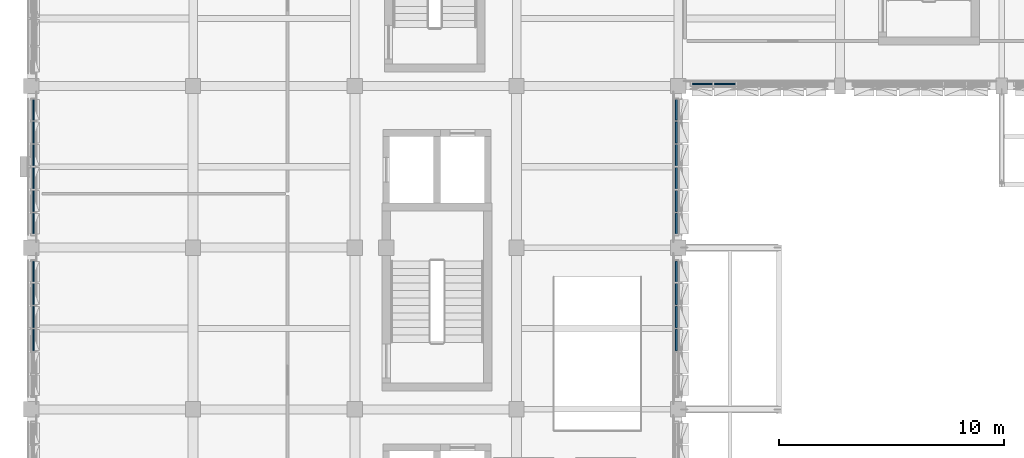
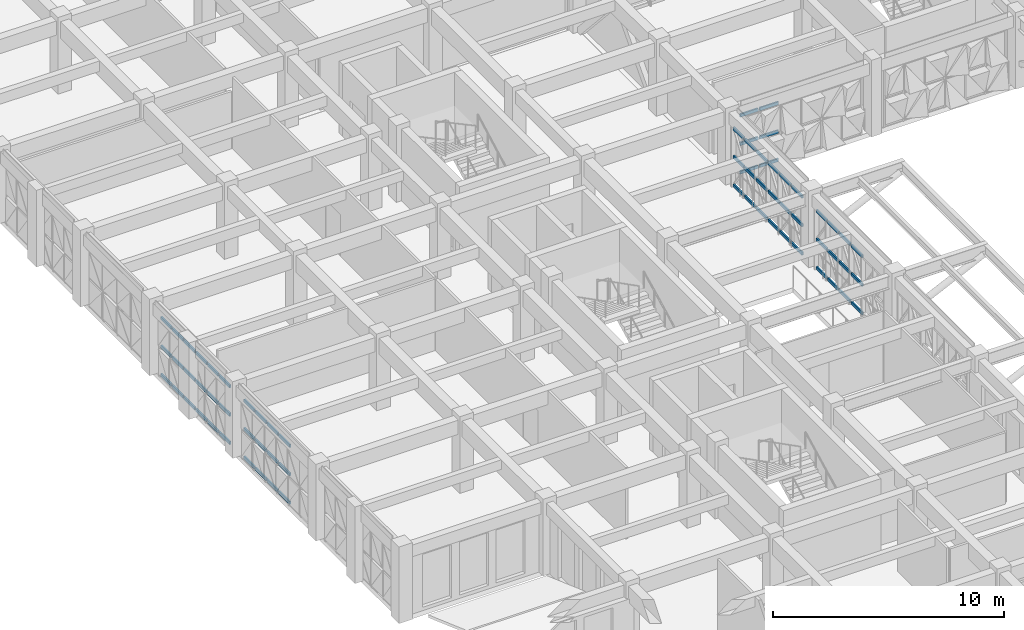
# One storey, part 23 of 88: 66 members, 5 elements without a shape of their own.
"""IFC4 building model written with IfcOpenShell, lengths in metres."""

import ifcopenshell
import ifcopenshell.guid

model = None  # the IFC model being written
_history = None  # IfcOwnerHistory: only IFC2X3 demands one
_inside = {}  # id of a spatial element -> (the spatial element, [elements in it])
_under = {}  # id of a project, library or spatial element -> (it, [spatial elements below it])
_declared = {}  # id of a project -> (the project, [libraries it declares])
_typed = {}  # id of a type object -> (the type object, [elements of that type])
_made_of = {}  # id of a material, layer set ... -> (it, [elements and type objects made of it])


def new_model(schema):
    """Start an empty IFC model of exactly this schema.

    Asked for "IFC4X3", IfcOpenShell would pick the latest addendum, in which some entities
    have other attributes; the version numbers below select the first issue.
    IFC2X3 requires an IfcOwnerHistory on every rooted entity: one is made here for all.
    """
    global model, _history
    if schema == "IFC4X3":
        model = ifcopenshell.file(schema_version=(4, 3, 0, 0))
    else:
        model = ifcopenshell.file(schema=schema)
    _inside.clear()
    _under.clear()
    _declared.clear()
    _typed.clear()
    _made_of.clear()
    _history = None
    if model.schema == "IFC2X3":
        org = make("IfcOrganization", Name="unknown")
        user = make(
            "IfcPersonAndOrganization",
            ThePerson=make("IfcPerson", FamilyName="unknown"),
            TheOrganization=org,
        )
        app = make(
            "IfcApplication",
            ApplicationDeveloper=org,
            Version="unknown",
            ApplicationFullName="unknown",
            ApplicationIdentifier="unknown",
        )
        _history = make(
            "IfcOwnerHistory",
            OwningUser=user,
            OwningApplication=app,
            ChangeAction="ADDED",
            CreationDate=0,
        )
    return model


def make(cls, **values):
    """One entity of the class cls with the attributes given. An attribute that is None is left unset."""
    return model.create_entity(
        cls, **{name: value for name, value in values.items() if value is not None}
    )


def rooted(cls, **values):
    """An entity with a GlobalId (a new one), such as an element, a storey or a relation."""
    return make(cls, GlobalId=ifcopenshell.guid.new(), OwnerHistory=_history, **values)


def si_unit(unit_type, name, prefix=None):
    """IfcSIUnit, for example si_unit("LENGTHUNIT", "METRE", prefix="MILLI")."""
    return make("IfcSIUnit", UnitType=unit_type, Prefix=prefix, Name=name)


def assignment(units):
    """IfcUnitAssignment: the units of a project."""
    return None if units is None else make("IfcUnitAssignment", Units=units)


def point(xyz):
    """IfcCartesianPoint."""
    return None if xyz is None else make("IfcCartesianPoint", Coordinates=xyz)


def direction(xyz):
    """IfcDirection."""
    return None if xyz is None else make("IfcDirection", DirectionRatios=xyz)


def frame(location, z_axis=None, x_axis=None):
    """IfcAxis2Placement3D, a coordinate frame: its origin and axes. An axis left out is left unset."""
    return make(
        "IfcAxis2Placement3D",
        Location=point(location),
        Axis=direction(z_axis),
        RefDirection=direction(x_axis),
    )


def frame_2d(location, x_axis=None):
    """IfcAxis2Placement2D, a coordinate frame in the plane: its origin and x axis."""
    return make(
        "IfcAxis2Placement2D", Location=point(location), RefDirection=direction(x_axis)
    )


def origin():
    """The frame at (0, 0, 0) with its axes left unset."""
    return frame((0.0, 0.0, 0.0))


def origin_2d():
    """The frame at (0, 0) in the plane with its x axis left unset."""
    return frame_2d((0.0, 0.0))


def place(relative_to, where):
    """IfcLocalPlacement: puts the frame where relative to a parent placement (None: the world)."""
    return make(
        "IfcLocalPlacement", PlacementRelTo=relative_to, RelativePlacement=where
    )


def context(
    kind, dimensions, precision=None, world=None, true_north=None, identifier=None
):
    """IfcGeometricRepresentationContext, for example the 3D "Model" context."""
    return make(
        "IfcGeometricRepresentationContext",
        ContextIdentifier=identifier,
        ContextType=kind,
        CoordinateSpaceDimension=dimensions,
        Precision=precision,
        WorldCoordinateSystem=world,
        TrueNorth=true_north,
    )


def subcontext(parent, identifier, kind, view, scale=None):
    """IfcGeometricRepresentationSubContext, for example "Body" below "Model"."""
    return make(
        "IfcGeometricRepresentationSubContext",
        ContextIdentifier=identifier,
        ContextType=kind,
        ParentContext=parent,
        TargetScale=scale,
        TargetView=view,
    )


def project(units=None, contexts=None):
    """IfcProject with its units and contexts."""
    return rooted(
        "IfcProject",
        Name="project",
        RepresentationContexts=contexts,
        UnitsInContext=assignment(units),
    )


def spatial(cls, under=None, at=None, **own):
    """A site, building, storey or space (cls), placed at a placement, below another one or the project."""
    s = rooted(cls, ObjectPlacement=at, **own)
    if under is not None:
        _under.setdefault(under.id(), (under, []))[1].append(s)
    return s


def profile(cls, at=None, kind="AREA", **sizes):
    """A parametric profile (cls). Its sizes go by their IFC names, for example OverallWidth=200.0."""
    return make(cls, ProfileType=kind, Position=at, **sizes)


def rectangle(**sizes):
    """IfcRectangleProfileDef."""
    return profile("IfcRectangleProfileDef", **sizes)


def extrude(swept, where, along, depth):
    """IfcExtrudedAreaSolid: the profile swept, set in the frame where, extruded along a direction by depth."""
    return make(
        "IfcExtrudedAreaSolid",
        SweptArea=swept,
        Position=where,
        ExtrudedDirection=direction(along),
        Depth=depth,
    )


def shape(context_of_items, identifier, shape_type, items):
    """IfcShapeRepresentation: the items that make up one representation, for example the "Body"."""
    return make(
        "IfcShapeRepresentation",
        ContextOfItems=context_of_items,
        RepresentationIdentifier=identifier,
        RepresentationType=shape_type,
        Items=items,
    )


def material(Name=None, Category=None):
    """IfcMaterial."""
    return make("IfcMaterial", Name=Name, Category=Category)


def material_profile(
    of_material, cross_section, Name=None, Category=None, Priority=None
):
    """IfcMaterialProfile: a cross section and its material."""
    return make(
        "IfcMaterialProfile",
        Name=Name,
        Material=of_material,
        Profile=cross_section,
        Priority=Priority,
        Category=Category,
    )


def profile_set(profiles, Name=None, composite=None):
    """IfcMaterialProfileSet."""
    return make(
        "IfcMaterialProfileSet",
        Name=Name,
        MaterialProfiles=profiles,
        CompositeProfile=composite,
    )


def made_of(thing, what):
    """Note that an element or type object is made of a material, layer set ...; save() writes the relation."""
    if what is not None:
        _made_of.setdefault(what.id(), (what, []))[1].append(thing)
    return thing


def type_object(cls, material=None, **own):
    """A type object (cls), such as IfcWallType, which elements share."""
    return made_of(rooted(cls, **own), material)


def element(
    cls,
    number,
    at=None,
    inside=None,
    cuts=None,
    type_object=None,
    material=None,
    context=None,
    identifier="Body",
    shape_type=None,
    held_by="IfcProductDefinitionShape",
    body=None,
    shapes=None,
    **own,
):
    """One element of the class cls, such as IfcWall. Its Tag is "e" and its number.

    at: its placement. inside: the storey or other place that contains it. cuts: it is an
    opening in that element (IfcRelVoidsElement). A single representation is given by context,
    identifier, shape_type and body (its items); several are given by shapes. held_by: the class
    of the entity that holds the representations. save() writes the other relations.
    """
    e = rooted(cls, Tag="e%d" % number, ObjectPlacement=at, **own)
    if body is not None:
        shapes = [shape(context, identifier, shape_type, body)]
    if shapes is not None:
        e.Representation = make(held_by, Representations=shapes)
    if inside is not None:
        _inside.setdefault(inside.id(), (inside, []))[1].append(e)
    if cuts is not None:
        rooted(
            "IfcRelVoidsElement", RelatingBuildingElement=cuts, RelatedOpeningElement=e
        )
    if type_object is not None:
        _typed.setdefault(type_object.id(), (type_object, []))[1].append(e)
    return made_of(e, material)


def aggregate(whole, parts):
    """IfcRelAggregates: a whole, such as a stair, and the parts it consists of."""
    return rooted("IfcRelAggregates", RelatingObject=whole, RelatedObjects=parts)


def save(model, path):
    """Write the relations noted so far, then the file.

    IfcRelAggregates (storeys below a building ...), IfcRelContainedInSpatialStructure (elements
    in a storey), IfcRelDefinesByType, IfcRelAssociatesMaterial and IfcRelDeclares: one each for
    every whole, place, type object, material and project.
    """
    for whole, parts in _under.values():
        aggregate(whole, parts)
    for where, things in _inside.values():
        rooted(
            "IfcRelContainedInSpatialStructure",
            RelatedElements=things,
            RelatingStructure=where,
        )
    for kind, things in _typed.values():
        rooted("IfcRelDefinesByType", RelatedObjects=things, RelatingType=kind)
    for what, things in _made_of.values():
        rooted("IfcRelAssociatesMaterial", RelatedObjects=things, RelatingMaterial=what)
    for by, libraries in _declared.values():
        rooted("IfcRelDeclares", RelatingContext=by, RelatedDefinitions=libraries)
    model.write(path)


model = new_model("IFC4")

# Units and contexts
model_context = context("Model", 3, precision=1e-05, world=origin(), true_north=direction((0.0, 1.0)))
body_context = subcontext(model_context, "Body", "Model", "MODEL_VIEW")
ifc_project = project(units=[si_unit("LENGTHUNIT", "METRE"), si_unit("AREAUNIT", "SQUARE_METRE"), si_unit("VOLUMEUNIT", "CUBIC_METRE"), si_unit("PLANEANGLEUNIT", "RADIAN"), si_unit("MASSUNIT", "GRAM", prefix="KILO")], contexts=[model_context])

# Site, building, storey
site_placement = place(None, origin())
site = spatial("IfcSite", under=ifc_project, at=site_placement, CompositionType="ELEMENT")
building_placement = place(site_placement, origin())
building = spatial("IfcBuilding", under=site, at=building_placement, Name="Alvorim Cloister Faculty of Sciences", CompositionType="ELEMENT")
storey_placement = place(building_placement, frame((0.0, 0.0, 4.5)))
storey = spatial("IfcBuildingStorey", under=building, at=storey_placement, Name="L01", CompositionType="ELEMENT", Elevation=4.5)

# Curtain wall, members
ifc_material_1 = material(Name="Aluminium and Low-E Glass Curtain Wall", Category="aluminium")
curtain_wall_type = type_object("IfcCurtainWallType", Name="CW-TRI-6120x3170", PredefinedType="USERDEFINED", material=ifc_material_1)
curtain_wall_1_placement = place(storey_placement, origin())
curtain_wall_1 = element("IfcCurtainWall", 1, at=curtain_wall_1_placement, inside=storey, type_object=curtain_wall_type, Name="L01 Diagonal Cassette Curtain Wall CW-0008", ObjectType="UNITISED CURTAIN WALL", PredefinedType="USERDEFINED")
ifc_material_2 = material(Name="Aluminium Alloy 6063-T6", Category="aluminium")
ifc_material_profile = material_profile(ifc_material_2, rectangle(XDim=0.074951171875, YDim=0.159912109375, at=origin_2d()), Name="ALU-TRN-75x160")
ifc_profile_set = profile_set([ifc_material_profile], Name="Aluminium Alloy 6063-T6")
member_type = type_object("IfcMemberType", Name="CW-TRN-75x160", PredefinedType="USERDEFINED", material=ifc_profile_set)
member_1_placement = place(storey_placement, frame((0.090087890625, 31.41748046875, 0.080078125), z_axis=(0.0, 1.0, 0.0), x_axis=(-1.0, 0.0, 0.0)))
member_1 = element("IfcMember", 2, at=member_1_placement, type_object=member_type, Name="CW-0008 Transom 3.1", ObjectType="TRANSOM", PredefinedType="USERDEFINED", context=body_context, shape_type="SweptSolid", body=[
    extrude(rectangle(XDim=0.074951171875, YDim=0.159912109375, at=origin_2d()), origin(), (0.0, 0.0, 1.0), 0.945068359375),
])
member_2_placement = place(storey_placement, frame((0.090087890625, 31.41748046875, 1.5849609375), z_axis=(0.0, 1.0, 0.0), x_axis=(-1.0, 0.0, 0.0)))
member_2 = element("IfcMember", 3, at=member_2_placement, type_object=member_type, Name="CW-0008 Transom 3.2", ObjectType="TRANSOM", PredefinedType="USERDEFINED", context=body_context, shape_type="SweptSolid", body=[
    extrude(rectangle(XDim=0.074951171875, YDim=0.159912109375, at=origin_2d()), origin(), (0.0, 0.0, 1.0), 0.945068359375),
])
member_3_placement = place(storey_placement, frame((0.090087890625, 31.41748046875, 3.090087890625), z_axis=(0.0, 1.0, 0.0), x_axis=(-1.0, 0.0, 0.0)))
member_3 = element("IfcMember", 4, at=member_3_placement, type_object=member_type, Name="CW-0008 Transom 3.3", ObjectType="TRANSOM", PredefinedType="USERDEFINED", context=body_context, shape_type="SweptSolid", body=[
    extrude(rectangle(XDim=0.074951171875, YDim=0.159912109375, at=origin_2d()), origin(), (0.0, 0.0, 1.0), 0.945068359375),
])
member_4_placement = place(storey_placement, frame((0.090087890625, 32.4375, 0.080078125), z_axis=(0.0, 1.0, 0.0), x_axis=(-1.0, 0.0, 0.0)))
member_4 = element("IfcMember", 5, at=member_4_placement, type_object=member_type, Name="CW-0008 Transom 4.1", ObjectType="TRANSOM", PredefinedType="USERDEFINED", context=body_context, shape_type="SweptSolid", body=[
    extrude(rectangle(XDim=0.074951171875, YDim=0.159912109375, at=origin_2d()), origin(), (0.0, 0.0, 1.0), 0.945068359375),
])
member_5_placement = place(storey_placement, frame((0.090087890625, 32.4375, 1.5849609375), z_axis=(0.0, 1.0, 0.0), x_axis=(-1.0, 0.0, 0.0)))
member_5 = element("IfcMember", 6, at=member_5_placement, type_object=member_type, Name="CW-0008 Transom 4.2", ObjectType="TRANSOM", PredefinedType="USERDEFINED", context=body_context, shape_type="SweptSolid", body=[
    extrude(rectangle(XDim=0.074951171875, YDim=0.159912109375, at=origin_2d()), origin(), (0.0, 0.0, 1.0), 0.945068359375),
])
member_6_placement = place(storey_placement, frame((0.090087890625, 32.4375, 3.090087890625), z_axis=(0.0, 1.0, 0.0), x_axis=(-1.0, 0.0, 0.0)))
member_6 = element("IfcMember", 7, at=member_6_placement, type_object=member_type, Name="CW-0008 Transom 4.3", ObjectType="TRANSOM", PredefinedType="USERDEFINED", context=body_context, shape_type="SweptSolid", body=[
    extrude(rectangle(XDim=0.074951171875, YDim=0.159912109375, at=origin_2d()), origin(), (0.0, 0.0, 1.0), 0.945068359375),
])
member_7_placement = place(storey_placement, frame((0.090087890625, 33.45751953125, 0.080078125), z_axis=(0.0, 1.0, 0.0), x_axis=(-1.0, 0.0, 0.0)))
member_7 = element("IfcMember", 8, at=member_7_placement, type_object=member_type, Name="CW-0008 Transom 5.1", ObjectType="TRANSOM", PredefinedType="USERDEFINED", context=body_context, shape_type="SweptSolid", body=[
    extrude(rectangle(XDim=0.074951171875, YDim=0.159912109375, at=origin_2d()), origin(), (0.0, 0.0, 1.0), 0.945068359375),
])
member_8_placement = place(storey_placement, frame((0.090087890625, 33.45751953125, 1.5849609375), z_axis=(0.0, 1.0, 0.0), x_axis=(-1.0, 0.0, 0.0)))
member_8 = element("IfcMember", 9, at=member_8_placement, type_object=member_type, Name="CW-0008 Transom 5.2", ObjectType="TRANSOM", PredefinedType="USERDEFINED", context=body_context, shape_type="SweptSolid", body=[
    extrude(rectangle(XDim=0.074951171875, YDim=0.159912109375, at=origin_2d()), origin(), (0.0, 0.0, 1.0), 0.945068359375),
])
member_9_placement = place(storey_placement, frame((0.090087890625, 33.45751953125, 3.090087890625), z_axis=(0.0, 1.0, 0.0), x_axis=(-1.0, 0.0, 0.0)))
member_9 = element("IfcMember", 10, at=member_9_placement, type_object=member_type, Name="CW-0008 Transom 5.3", ObjectType="TRANSOM", PredefinedType="USERDEFINED", context=body_context, shape_type="SweptSolid", body=[
    extrude(rectangle(XDim=0.074951171875, YDim=0.159912109375, at=origin_2d()), origin(), (0.0, 0.0, 1.0), 0.945068359375),
])
member_10_placement = place(storey_placement, frame((0.090087890625, 34.4775390625, 0.080078125), z_axis=(0.0, 1.0, 0.0), x_axis=(-1.0, 0.0, 0.0)))
member_10 = element("IfcMember", 11, at=member_10_placement, type_object=member_type, Name="CW-0008 Transom 6.1", ObjectType="TRANSOM", PredefinedType="USERDEFINED", context=body_context, shape_type="SweptSolid", body=[
    extrude(rectangle(XDim=0.074951171875, YDim=0.159912109375, at=origin_2d()), origin(), (0.0, 0.0, 1.0), 0.907470703125),
])
member_11_placement = place(storey_placement, frame((0.090087890625, 34.4775390625, 1.5849609375), z_axis=(0.0, 1.0, 0.0), x_axis=(-1.0, 0.0, 0.0)))
member_11 = element("IfcMember", 12, at=member_11_placement, type_object=member_type, Name="CW-0008 Transom 6.2", ObjectType="TRANSOM", PredefinedType="USERDEFINED", context=body_context, shape_type="SweptSolid", body=[
    extrude(rectangle(XDim=0.074951171875, YDim=0.159912109375, at=origin_2d()), origin(), (0.0, 0.0, 1.0), 0.907470703125),
])
member_12_placement = place(storey_placement, frame((0.090087890625, 34.4775390625, 3.090087890625), z_axis=(0.0, 1.0, 0.0), x_axis=(-1.0, 0.0, 0.0)))
member_12 = element("IfcMember", 13, at=member_12_placement, type_object=member_type, Name="CW-0008 Transom 6.3", ObjectType="TRANSOM", PredefinedType="USERDEFINED", context=body_context, shape_type="SweptSolid", body=[
    extrude(rectangle(XDim=0.074951171875, YDim=0.159912109375, at=origin_2d()), origin(), (0.0, 0.0, 1.0), 0.907470703125),
])
aggregate(curtain_wall_1, [member_1, member_2, member_3, member_4, member_5, member_6, member_7, member_8, member_9, member_10, member_11, member_12])

curtain_wall_2_placement = place(storey_placement, origin())
curtain_wall_2 = element("IfcCurtainWall", 14, at=curtain_wall_2_placement, inside=storey, type_object=curtain_wall_type, Name="L01 Diagonal Cassette Curtain Wall CW-0009", ObjectType="UNITISED CURTAIN WALL", PredefinedType="USERDEFINED")
member_13_placement = place(storey_placement, frame((0.090087890625, 36.614990234375, 0.080078125), z_axis=(0.0, 1.0, 0.0), x_axis=(-1.0, 0.0, 0.0)))
member_13 = element("IfcMember", 15, at=member_13_placement, type_object=member_type, Name="CW-0009 Transom 1.1", ObjectType="TRANSOM", PredefinedType="USERDEFINED", context=body_context, shape_type="SweptSolid", body=[
    extrude(rectangle(XDim=0.074951171875, YDim=0.159912109375, at=origin_2d()), origin(), (0.0, 0.0, 1.0), 0.907470703125),
])
member_14_placement = place(storey_placement, frame((0.090087890625, 36.614990234375, 1.5849609375), z_axis=(0.0, 1.0, 0.0), x_axis=(-1.0, 0.0, 0.0)))
member_14 = element("IfcMember", 16, at=member_14_placement, type_object=member_type, Name="CW-0009 Transom 1.2", ObjectType="TRANSOM", PredefinedType="USERDEFINED", context=body_context, shape_type="SweptSolid", body=[
    extrude(rectangle(XDim=0.074951171875, YDim=0.159912109375, at=origin_2d()), origin(), (0.0, 0.0, 1.0), 0.907470703125),
])
member_15_placement = place(storey_placement, frame((0.090087890625, 36.614990234375, 3.090087890625), z_axis=(0.0, 1.0, 0.0), x_axis=(-1.0, 0.0, 0.0)))
member_15 = element("IfcMember", 17, at=member_15_placement, type_object=member_type, Name="CW-0009 Transom 1.3", ObjectType="TRANSOM", PredefinedType="USERDEFINED", context=body_context, shape_type="SweptSolid", body=[
    extrude(rectangle(XDim=0.074951171875, YDim=0.159912109375, at=origin_2d()), origin(), (0.0, 0.0, 1.0), 0.907470703125),
])
member_16_placement = place(storey_placement, frame((0.090087890625, 37.597412109375, 0.080078125), z_axis=(0.0, 1.0, 0.0), x_axis=(-1.0, 0.0, 0.0)))
member_16 = element("IfcMember", 18, at=member_16_placement, type_object=member_type, Name="CW-0009 Transom 2.1", ObjectType="TRANSOM", PredefinedType="USERDEFINED", context=body_context, shape_type="SweptSolid", body=[
    extrude(rectangle(XDim=0.074951171875, YDim=0.159912109375, at=origin_2d()), origin(), (0.0, 0.0, 1.0), 0.945068359375),
])
member_17_placement = place(storey_placement, frame((0.090087890625, 37.597412109375, 1.5849609375), z_axis=(0.0, 1.0, 0.0), x_axis=(-1.0, 0.0, 0.0)))
member_17 = element("IfcMember", 19, at=member_17_placement, type_object=member_type, Name="CW-0009 Transom 2.2", ObjectType="TRANSOM", PredefinedType="USERDEFINED", context=body_context, shape_type="SweptSolid", body=[
    extrude(rectangle(XDim=0.074951171875, YDim=0.159912109375, at=origin_2d()), origin(), (0.0, 0.0, 1.0), 0.945068359375),
])
member_18_placement = place(storey_placement, frame((0.090087890625, 37.597412109375, 3.090087890625), z_axis=(0.0, 1.0, 0.0), x_axis=(-1.0, 0.0, 0.0)))
member_18 = element("IfcMember", 20, at=member_18_placement, type_object=member_type, Name="CW-0009 Transom 2.3", ObjectType="TRANSOM", PredefinedType="USERDEFINED", context=body_context, shape_type="SweptSolid", body=[
    extrude(rectangle(XDim=0.074951171875, YDim=0.159912109375, at=origin_2d()), origin(), (0.0, 0.0, 1.0), 0.945068359375),
])
member_19_placement = place(storey_placement, frame((0.090087890625, 38.617431640625, 0.080078125), z_axis=(0.0, 1.0, 0.0), x_axis=(-1.0, 0.0, 0.0)))
member_19 = element("IfcMember", 21, at=member_19_placement, type_object=member_type, Name="CW-0009 Transom 3.1", ObjectType="TRANSOM", PredefinedType="USERDEFINED", context=body_context, shape_type="SweptSolid", body=[
    extrude(rectangle(XDim=0.074951171875, YDim=0.159912109375, at=origin_2d()), origin(), (0.0, 0.0, 1.0), 0.945068359375),
])
member_20_placement = place(storey_placement, frame((0.090087890625, 38.617431640625, 1.5849609375), z_axis=(0.0, 1.0, 0.0), x_axis=(-1.0, 0.0, 0.0)))
member_20 = element("IfcMember", 22, at=member_20_placement, type_object=member_type, Name="CW-0009 Transom 3.2", ObjectType="TRANSOM", PredefinedType="USERDEFINED", context=body_context, shape_type="SweptSolid", body=[
    extrude(rectangle(XDim=0.074951171875, YDim=0.159912109375, at=origin_2d()), origin(), (0.0, 0.0, 1.0), 0.945068359375),
])
member_21_placement = place(storey_placement, frame((0.090087890625, 38.617431640625, 3.090087890625), z_axis=(0.0, 1.0, 0.0), x_axis=(-1.0, 0.0, 0.0)))
member_21 = element("IfcMember", 23, at=member_21_placement, type_object=member_type, Name="CW-0009 Transom 3.3", ObjectType="TRANSOM", PredefinedType="USERDEFINED", context=body_context, shape_type="SweptSolid", body=[
    extrude(rectangle(XDim=0.074951171875, YDim=0.159912109375, at=origin_2d()), origin(), (0.0, 0.0, 1.0), 0.945068359375),
])
member_22_placement = place(storey_placement, frame((0.090087890625, 39.637451171875, 0.080078125), z_axis=(0.0, 1.0, 0.0), x_axis=(-1.0, 0.0, 0.0)))
member_22 = element("IfcMember", 24, at=member_22_placement, type_object=member_type, Name="CW-0009 Transom 4.1", ObjectType="TRANSOM", PredefinedType="USERDEFINED", context=body_context, shape_type="SweptSolid", body=[
    extrude(rectangle(XDim=0.074951171875, YDim=0.159912109375, at=origin_2d()), origin(), (0.0, 0.0, 1.0), 0.945068359375),
])
member_23_placement = place(storey_placement, frame((0.090087890625, 39.637451171875, 1.5849609375), z_axis=(0.0, 1.0, 0.0), x_axis=(-1.0, 0.0, 0.0)))
member_23 = element("IfcMember", 25, at=member_23_placement, type_object=member_type, Name="CW-0009 Transom 4.2", ObjectType="TRANSOM", PredefinedType="USERDEFINED", context=body_context, shape_type="SweptSolid", body=[
    extrude(rectangle(XDim=0.074951171875, YDim=0.159912109375, at=origin_2d()), origin(), (0.0, 0.0, 1.0), 0.945068359375),
])
member_24_placement = place(storey_placement, frame((0.090087890625, 39.637451171875, 3.090087890625), z_axis=(0.0, 1.0, 0.0), x_axis=(-1.0, 0.0, 0.0)))
member_24 = element("IfcMember", 26, at=member_24_placement, type_object=member_type, Name="CW-0009 Transom 4.3", ObjectType="TRANSOM", PredefinedType="USERDEFINED", context=body_context, shape_type="SweptSolid", body=[
    extrude(rectangle(XDim=0.074951171875, YDim=0.159912109375, at=origin_2d()), origin(), (0.0, 0.0, 1.0), 0.945068359375),
])
member_25_placement = place(storey_placement, frame((0.090087890625, 40.657470703125, 0.080078125), z_axis=(0.0, 1.0, 0.0), x_axis=(-1.0, 0.0, 0.0)))
member_25 = element("IfcMember", 27, at=member_25_placement, type_object=member_type, Name="CW-0009 Transom 5.1", ObjectType="TRANSOM", PredefinedType="USERDEFINED", context=body_context, shape_type="SweptSolid", body=[
    extrude(rectangle(XDim=0.074951171875, YDim=0.159912109375, at=origin_2d()), origin(), (0.0, 0.0, 1.0), 0.945068359375),
])
member_26_placement = place(storey_placement, frame((0.090087890625, 40.657470703125, 1.5849609375), z_axis=(0.0, 1.0, 0.0), x_axis=(-1.0, 0.0, 0.0)))
member_26 = element("IfcMember", 28, at=member_26_placement, type_object=member_type, Name="CW-0009 Transom 5.2", ObjectType="TRANSOM", PredefinedType="USERDEFINED", context=body_context, shape_type="SweptSolid", body=[
    extrude(rectangle(XDim=0.074951171875, YDim=0.159912109375, at=origin_2d()), origin(), (0.0, 0.0, 1.0), 0.945068359375),
])
member_27_placement = place(storey_placement, frame((0.090087890625, 40.657470703125, 3.090087890625), z_axis=(0.0, 1.0, 0.0), x_axis=(-1.0, 0.0, 0.0)))
member_27 = element("IfcMember", 29, at=member_27_placement, type_object=member_type, Name="CW-0009 Transom 5.3", ObjectType="TRANSOM", PredefinedType="USERDEFINED", context=body_context, shape_type="SweptSolid", body=[
    extrude(rectangle(XDim=0.074951171875, YDim=0.159912109375, at=origin_2d()), origin(), (0.0, 0.0, 1.0), 0.945068359375),
])
member_28_placement = place(storey_placement, frame((0.090087890625, 41.677490234375, 0.080078125), z_axis=(0.0, 1.0, 0.0), x_axis=(-1.0, 0.0, 0.0)))
member_28 = element("IfcMember", 30, at=member_28_placement, type_object=member_type, Name="CW-0009 Transom 6.1", ObjectType="TRANSOM", PredefinedType="USERDEFINED", context=body_context, shape_type="SweptSolid", body=[
    extrude(rectangle(XDim=0.074951171875, YDim=0.159912109375, at=origin_2d()), origin(), (0.0, 0.0, 1.0), 0.907470703125),
])
member_29_placement = place(storey_placement, frame((0.090087890625, 41.677490234375, 1.5849609375), z_axis=(0.0, 1.0, 0.0), x_axis=(-1.0, 0.0, 0.0)))
member_29 = element("IfcMember", 31, at=member_29_placement, type_object=member_type, Name="CW-0009 Transom 6.2", ObjectType="TRANSOM", PredefinedType="USERDEFINED", context=body_context, shape_type="SweptSolid", body=[
    extrude(rectangle(XDim=0.074951171875, YDim=0.159912109375, at=origin_2d()), origin(), (0.0, 0.0, 1.0), 0.907470703125),
])
member_30_placement = place(storey_placement, frame((0.090087890625, 41.677490234375, 3.090087890625), z_axis=(0.0, 1.0, 0.0), x_axis=(-1.0, 0.0, 0.0)))
member_30 = element("IfcMember", 32, at=member_30_placement, type_object=member_type, Name="CW-0009 Transom 6.3", ObjectType="TRANSOM", PredefinedType="USERDEFINED", context=body_context, shape_type="SweptSolid", body=[
    extrude(rectangle(XDim=0.074951171875, YDim=0.159912109375, at=origin_2d()), origin(), (0.0, 0.0, 1.0), 0.907470703125),
])
aggregate(curtain_wall_2, [member_13, member_14, member_15, member_16, member_17, member_18, member_19, member_20, member_21, member_22, member_23, member_24, member_25, member_26, member_27, member_28, member_29, member_30])

curtain_wall_3_placement = place(storey_placement, origin())
curtain_wall_3 = element("IfcCurtainWall", 33, at=curtain_wall_3_placement, inside=storey, type_object=curtain_wall_type, Name="L01 Diagonal Cassette Curtain Wall CW-0023", ObjectType="UNITISED CURTAIN WALL", PredefinedType="USERDEFINED")
member_31_placement = place(storey_placement, frame((29.4150390625, 43.2900390625, 0.080078125), z_axis=(1.0, 0.0, 0.0), x_axis=(0.0, 1.0, 0.0)))
member_31 = element("IfcMember", 34, at=member_31_placement, type_object=member_type, Name="CW-0023 Transom 1.1", ObjectType="TRANSOM", PredefinedType="USERDEFINED", context=body_context, shape_type="SweptSolid", body=[
    extrude(rectangle(XDim=0.074951171875, YDim=0.159912109375, at=origin_2d()), origin(), (0.0, 0.0, 1.0), 0.907470703125),
])
member_32_placement = place(storey_placement, frame((29.4150390625, 43.2900390625, 1.5849609375), z_axis=(1.0, 0.0, 0.0), x_axis=(0.0, 1.0, 0.0)))
member_32 = element("IfcMember", 35, at=member_32_placement, type_object=member_type, Name="CW-0023 Transom 1.2", ObjectType="TRANSOM", PredefinedType="USERDEFINED", context=body_context, shape_type="SweptSolid", body=[
    extrude(rectangle(XDim=0.074951171875, YDim=0.159912109375, at=origin_2d()), origin(), (0.0, 0.0, 1.0), 0.907470703125),
])
member_33_placement = place(storey_placement, frame((29.4150390625, 43.2900390625, 3.090087890625), z_axis=(1.0, 0.0, 0.0), x_axis=(0.0, 1.0, 0.0)))
member_33 = element("IfcMember", 36, at=member_33_placement, type_object=member_type, Name="CW-0023 Transom 1.3", ObjectType="TRANSOM", PredefinedType="USERDEFINED", context=body_context, shape_type="SweptSolid", body=[
    extrude(rectangle(XDim=0.074951171875, YDim=0.159912109375, at=origin_2d()), origin(), (0.0, 0.0, 1.0), 0.907470703125),
])
member_34_placement = place(storey_placement, frame((30.3974609375, 43.2900390625, 0.080078125), z_axis=(1.0, 0.0, 0.0), x_axis=(0.0, 1.0, 0.0)))
member_34 = element("IfcMember", 37, at=member_34_placement, type_object=member_type, Name="CW-0023 Transom 2.1", ObjectType="TRANSOM", PredefinedType="USERDEFINED", context=body_context, shape_type="SweptSolid", body=[
    extrude(rectangle(XDim=0.074951171875, YDim=0.159912109375, at=origin_2d()), origin(), (0.0, 0.0, 1.0), 0.945068359375),
])
member_35_placement = place(storey_placement, frame((30.3974609375, 43.2900390625, 1.5849609375), z_axis=(1.0, 0.0, 0.0), x_axis=(0.0, 1.0, 0.0)))
member_35 = element("IfcMember", 38, at=member_35_placement, type_object=member_type, Name="CW-0023 Transom 2.2", ObjectType="TRANSOM", PredefinedType="USERDEFINED", context=body_context, shape_type="SweptSolid", body=[
    extrude(rectangle(XDim=0.074951171875, YDim=0.159912109375, at=origin_2d()), origin(), (0.0, 0.0, 1.0), 0.945068359375),
])
member_36_placement = place(storey_placement, frame((30.3974609375, 43.2900390625, 3.090087890625), z_axis=(1.0, 0.0, 0.0), x_axis=(0.0, 1.0, 0.0)))
member_36 = element("IfcMember", 39, at=member_36_placement, type_object=member_type, Name="CW-0023 Transom 2.3", ObjectType="TRANSOM", PredefinedType="USERDEFINED", context=body_context, shape_type="SweptSolid", body=[
    extrude(rectangle(XDim=0.074951171875, YDim=0.159912109375, at=origin_2d()), origin(), (0.0, 0.0, 1.0), 0.945068359375),
])
aggregate(curtain_wall_3, [member_31, member_32, member_33, member_34, member_35, member_36])

curtain_wall_4_placement = place(storey_placement, origin())
curtain_wall_4 = element("IfcCurtainWall", 40, at=curtain_wall_4_placement, inside=storey, type_object=curtain_wall_type, Name="L01 Diagonal Cassette Curtain Wall CW-0024", ObjectType="UNITISED CURTAIN WALL", PredefinedType="USERDEFINED")
member_37_placement = place(storey_placement, frame((28.7099609375, 36.614990234375, 0.080078125), z_axis=(0.0, 1.0, 0.0), x_axis=(-1.0, 0.0, 0.0)))
member_37 = element("IfcMember", 41, at=member_37_placement, type_object=member_type, Name="CW-0024 Transom 1.1", ObjectType="TRANSOM", PredefinedType="USERDEFINED", context=body_context, shape_type="SweptSolid", body=[
    extrude(rectangle(XDim=0.074951171875, YDim=0.159912109375, at=origin_2d()), origin(), (0.0, 0.0, 1.0), 0.907470703125),
])
member_38_placement = place(storey_placement, frame((28.7099609375, 36.614990234375, 1.5849609375), z_axis=(0.0, 1.0, 0.0), x_axis=(-1.0, 0.0, 0.0)))
member_38 = element("IfcMember", 42, at=member_38_placement, type_object=member_type, Name="CW-0024 Transom 1.2", ObjectType="TRANSOM", PredefinedType="USERDEFINED", context=body_context, shape_type="SweptSolid", body=[
    extrude(rectangle(XDim=0.074951171875, YDim=0.159912109375, at=origin_2d()), origin(), (0.0, 0.0, 1.0), 0.907470703125),
])
member_39_placement = place(storey_placement, frame((28.7099609375, 36.614990234375, 3.090087890625), z_axis=(0.0, 1.0, 0.0), x_axis=(-1.0, 0.0, 0.0)))
member_39 = element("IfcMember", 43, at=member_39_placement, type_object=member_type, Name="CW-0024 Transom 1.3", ObjectType="TRANSOM", PredefinedType="USERDEFINED", context=body_context, shape_type="SweptSolid", body=[
    extrude(rectangle(XDim=0.074951171875, YDim=0.159912109375, at=origin_2d()), origin(), (0.0, 0.0, 1.0), 0.907470703125),
])
member_40_placement = place(storey_placement, frame((28.7099609375, 37.597412109375, 0.080078125), z_axis=(0.0, 1.0, 0.0), x_axis=(-1.0, 0.0, 0.0)))
member_40 = element("IfcMember", 44, at=member_40_placement, type_object=member_type, Name="CW-0024 Transom 2.1", ObjectType="TRANSOM", PredefinedType="USERDEFINED", context=body_context, shape_type="SweptSolid", body=[
    extrude(rectangle(XDim=0.074951171875, YDim=0.159912109375, at=origin_2d()), origin(), (0.0, 0.0, 1.0), 0.945068359375),
])
member_41_placement = place(storey_placement, frame((28.7099609375, 37.597412109375, 1.5849609375), z_axis=(0.0, 1.0, 0.0), x_axis=(-1.0, 0.0, 0.0)))
member_41 = element("IfcMember", 45, at=member_41_placement, type_object=member_type, Name="CW-0024 Transom 2.2", ObjectType="TRANSOM", PredefinedType="USERDEFINED", context=body_context, shape_type="SweptSolid", body=[
    extrude(rectangle(XDim=0.074951171875, YDim=0.159912109375, at=origin_2d()), origin(), (0.0, 0.0, 1.0), 0.945068359375),
])
member_42_placement = place(storey_placement, frame((28.7099609375, 37.597412109375, 3.090087890625), z_axis=(0.0, 1.0, 0.0), x_axis=(-1.0, 0.0, 0.0)))
member_42 = element("IfcMember", 46, at=member_42_placement, type_object=member_type, Name="CW-0024 Transom 2.3", ObjectType="TRANSOM", PredefinedType="USERDEFINED", context=body_context, shape_type="SweptSolid", body=[
    extrude(rectangle(XDim=0.074951171875, YDim=0.159912109375, at=origin_2d()), origin(), (0.0, 0.0, 1.0), 0.945068359375),
])
member_43_placement = place(storey_placement, frame((28.7099609375, 38.617431640625, 0.080078125), z_axis=(0.0, 1.0, 0.0), x_axis=(-1.0, 0.0, 0.0)))
member_43 = element("IfcMember", 47, at=member_43_placement, type_object=member_type, Name="CW-0024 Transom 3.1", ObjectType="TRANSOM", PredefinedType="USERDEFINED", context=body_context, shape_type="SweptSolid", body=[
    extrude(rectangle(XDim=0.074951171875, YDim=0.159912109375, at=origin_2d()), origin(), (0.0, 0.0, 1.0), 0.945068359375),
])
member_44_placement = place(storey_placement, frame((28.7099609375, 38.617431640625, 1.5849609375), z_axis=(0.0, 1.0, 0.0), x_axis=(-1.0, 0.0, 0.0)))
member_44 = element("IfcMember", 48, at=member_44_placement, type_object=member_type, Name="CW-0024 Transom 3.2", ObjectType="TRANSOM", PredefinedType="USERDEFINED", context=body_context, shape_type="SweptSolid", body=[
    extrude(rectangle(XDim=0.074951171875, YDim=0.159912109375, at=origin_2d()), origin(), (0.0, 0.0, 1.0), 0.945068359375),
])
member_45_placement = place(storey_placement, frame((28.7099609375, 38.617431640625, 3.090087890625), z_axis=(0.0, 1.0, 0.0), x_axis=(-1.0, 0.0, 0.0)))
member_45 = element("IfcMember", 49, at=member_45_placement, type_object=member_type, Name="CW-0024 Transom 3.3", ObjectType="TRANSOM", PredefinedType="USERDEFINED", context=body_context, shape_type="SweptSolid", body=[
    extrude(rectangle(XDim=0.074951171875, YDim=0.159912109375, at=origin_2d()), origin(), (0.0, 0.0, 1.0), 0.945068359375),
])
member_46_placement = place(storey_placement, frame((28.7099609375, 39.637451171875, 0.080078125), z_axis=(0.0, 1.0, 0.0), x_axis=(-1.0, 0.0, 0.0)))
member_46 = element("IfcMember", 50, at=member_46_placement, type_object=member_type, Name="CW-0024 Transom 4.1", ObjectType="TRANSOM", PredefinedType="USERDEFINED", context=body_context, shape_type="SweptSolid", body=[
    extrude(rectangle(XDim=0.074951171875, YDim=0.159912109375, at=origin_2d()), origin(), (0.0, 0.0, 1.0), 0.945068359375),
])
member_47_placement = place(storey_placement, frame((28.7099609375, 39.637451171875, 1.5849609375), z_axis=(0.0, 1.0, 0.0), x_axis=(-1.0, 0.0, 0.0)))
member_47 = element("IfcMember", 51, at=member_47_placement, type_object=member_type, Name="CW-0024 Transom 4.2", ObjectType="TRANSOM", PredefinedType="USERDEFINED", context=body_context, shape_type="SweptSolid", body=[
    extrude(rectangle(XDim=0.074951171875, YDim=0.159912109375, at=origin_2d()), origin(), (0.0, 0.0, 1.0), 0.945068359375),
])
member_48_placement = place(storey_placement, frame((28.7099609375, 39.637451171875, 3.090087890625), z_axis=(0.0, 1.0, 0.0), x_axis=(-1.0, 0.0, 0.0)))
member_48 = element("IfcMember", 52, at=member_48_placement, type_object=member_type, Name="CW-0024 Transom 4.3", ObjectType="TRANSOM", PredefinedType="USERDEFINED", context=body_context, shape_type="SweptSolid", body=[
    extrude(rectangle(XDim=0.074951171875, YDim=0.159912109375, at=origin_2d()), origin(), (0.0, 0.0, 1.0), 0.945068359375),
])
member_49_placement = place(storey_placement, frame((28.7099609375, 40.657470703125, 0.080078125), z_axis=(0.0, 1.0, 0.0), x_axis=(-1.0, 0.0, 0.0)))
member_49 = element("IfcMember", 53, at=member_49_placement, type_object=member_type, Name="CW-0024 Transom 5.1", ObjectType="TRANSOM", PredefinedType="USERDEFINED", context=body_context, shape_type="SweptSolid", body=[
    extrude(rectangle(XDim=0.074951171875, YDim=0.159912109375, at=origin_2d()), origin(), (0.0, 0.0, 1.0), 0.945068359375),
])
member_50_placement = place(storey_placement, frame((28.7099609375, 40.657470703125, 1.5849609375), z_axis=(0.0, 1.0, 0.0), x_axis=(-1.0, 0.0, 0.0)))
member_50 = element("IfcMember", 54, at=member_50_placement, type_object=member_type, Name="CW-0024 Transom 5.2", ObjectType="TRANSOM", PredefinedType="USERDEFINED", context=body_context, shape_type="SweptSolid", body=[
    extrude(rectangle(XDim=0.074951171875, YDim=0.159912109375, at=origin_2d()), origin(), (0.0, 0.0, 1.0), 0.945068359375),
])
member_51_placement = place(storey_placement, frame((28.7099609375, 40.657470703125, 3.090087890625), z_axis=(0.0, 1.0, 0.0), x_axis=(-1.0, 0.0, 0.0)))
member_51 = element("IfcMember", 55, at=member_51_placement, type_object=member_type, Name="CW-0024 Transom 5.3", ObjectType="TRANSOM", PredefinedType="USERDEFINED", context=body_context, shape_type="SweptSolid", body=[
    extrude(rectangle(XDim=0.074951171875, YDim=0.159912109375, at=origin_2d()), origin(), (0.0, 0.0, 1.0), 0.945068359375),
])
member_52_placement = place(storey_placement, frame((28.7099609375, 41.677490234375, 0.080078125), z_axis=(0.0, 1.0, 0.0), x_axis=(-1.0, 0.0, 0.0)))
member_52 = element("IfcMember", 56, at=member_52_placement, type_object=member_type, Name="CW-0024 Transom 6.1", ObjectType="TRANSOM", PredefinedType="USERDEFINED", context=body_context, shape_type="SweptSolid", body=[
    extrude(rectangle(XDim=0.074951171875, YDim=0.159912109375, at=origin_2d()), origin(), (0.0, 0.0, 1.0), 0.907470703125),
])
member_53_placement = place(storey_placement, frame((28.7099609375, 41.677490234375, 1.5849609375), z_axis=(0.0, 1.0, 0.0), x_axis=(-1.0, 0.0, 0.0)))
member_53 = element("IfcMember", 57, at=member_53_placement, type_object=member_type, Name="CW-0024 Transom 6.2", ObjectType="TRANSOM", PredefinedType="USERDEFINED", context=body_context, shape_type="SweptSolid", body=[
    extrude(rectangle(XDim=0.074951171875, YDim=0.159912109375, at=origin_2d()), origin(), (0.0, 0.0, 1.0), 0.907470703125),
])
member_54_placement = place(storey_placement, frame((28.7099609375, 41.677490234375, 3.090087890625), z_axis=(0.0, 1.0, 0.0), x_axis=(-1.0, 0.0, 0.0)))
member_54 = element("IfcMember", 58, at=member_54_placement, type_object=member_type, Name="CW-0024 Transom 6.3", ObjectType="TRANSOM", PredefinedType="USERDEFINED", context=body_context, shape_type="SweptSolid", body=[
    extrude(rectangle(XDim=0.074951171875, YDim=0.159912109375, at=origin_2d()), origin(), (0.0, 0.0, 1.0), 0.907470703125),
])
aggregate(curtain_wall_4, [member_37, member_38, member_39, member_40, member_41, member_42, member_43, member_44, member_45, member_46, member_47, member_48, member_49, member_50, member_51, member_52, member_53, member_54])

curtain_wall_5_placement = place(storey_placement, origin())
curtain_wall_5 = element("IfcCurtainWall", 59, at=curtain_wall_5_placement, inside=storey, type_object=curtain_wall_type, Name="L01 Diagonal Cassette Curtain Wall CW-0025", ObjectType="UNITISED CURTAIN WALL", PredefinedType="USERDEFINED")
member_55_placement = place(storey_placement, frame((28.7099609375, 31.41748046875, 0.080078125), z_axis=(0.0, 1.0, 0.0), x_axis=(-1.0, 0.0, 0.0)))
member_55 = element("IfcMember", 60, at=member_55_placement, type_object=member_type, Name="CW-0025 Transom 3.1", ObjectType="TRANSOM", PredefinedType="USERDEFINED", context=body_context, shape_type="SweptSolid", body=[
    extrude(rectangle(XDim=0.074951171875, YDim=0.159912109375, at=origin_2d()), origin(), (0.0, 0.0, 1.0), 0.945068359375),
])
member_56_placement = place(storey_placement, frame((28.7099609375, 31.41748046875, 1.5849609375), z_axis=(0.0, 1.0, 0.0), x_axis=(-1.0, 0.0, 0.0)))
member_56 = element("IfcMember", 61, at=member_56_placement, type_object=member_type, Name="CW-0025 Transom 3.2", ObjectType="TRANSOM", PredefinedType="USERDEFINED", context=body_context, shape_type="SweptSolid", body=[
    extrude(rectangle(XDim=0.074951171875, YDim=0.159912109375, at=origin_2d()), origin(), (0.0, 0.0, 1.0), 0.945068359375),
])
member_57_placement = place(storey_placement, frame((28.7099609375, 31.41748046875, 3.090087890625), z_axis=(0.0, 1.0, 0.0), x_axis=(-1.0, 0.0, 0.0)))
member_57 = element("IfcMember", 62, at=member_57_placement, type_object=member_type, Name="CW-0025 Transom 3.3", ObjectType="TRANSOM", PredefinedType="USERDEFINED", context=body_context, shape_type="SweptSolid", body=[
    extrude(rectangle(XDim=0.074951171875, YDim=0.159912109375, at=origin_2d()), origin(), (0.0, 0.0, 1.0), 0.945068359375),
])
member_58_placement = place(storey_placement, frame((28.7099609375, 32.4375, 0.080078125), z_axis=(0.0, 1.0, 0.0), x_axis=(-1.0, 0.0, 0.0)))
member_58 = element("IfcMember", 63, at=member_58_placement, type_object=member_type, Name="CW-0025 Transom 4.1", ObjectType="TRANSOM", PredefinedType="USERDEFINED", context=body_context, shape_type="SweptSolid", body=[
    extrude(rectangle(XDim=0.074951171875, YDim=0.159912109375, at=origin_2d()), origin(), (0.0, 0.0, 1.0), 0.945068359375),
])
member_59_placement = place(storey_placement, frame((28.7099609375, 32.4375, 1.5849609375), z_axis=(0.0, 1.0, 0.0), x_axis=(-1.0, 0.0, 0.0)))
member_59 = element("IfcMember", 64, at=member_59_placement, type_object=member_type, Name="CW-0025 Transom 4.2", ObjectType="TRANSOM", PredefinedType="USERDEFINED", context=body_context, shape_type="SweptSolid", body=[
    extrude(rectangle(XDim=0.074951171875, YDim=0.159912109375, at=origin_2d()), origin(), (0.0, 0.0, 1.0), 0.945068359375),
])
member_60_placement = place(storey_placement, frame((28.7099609375, 32.4375, 3.090087890625), z_axis=(0.0, 1.0, 0.0), x_axis=(-1.0, 0.0, 0.0)))
member_60 = element("IfcMember", 65, at=member_60_placement, type_object=member_type, Name="CW-0025 Transom 4.3", ObjectType="TRANSOM", PredefinedType="USERDEFINED", context=body_context, shape_type="SweptSolid", body=[
    extrude(rectangle(XDim=0.074951171875, YDim=0.159912109375, at=origin_2d()), origin(), (0.0, 0.0, 1.0), 0.945068359375),
])
member_61_placement = place(storey_placement, frame((28.7099609375, 33.45751953125, 0.080078125), z_axis=(0.0, 1.0, 0.0), x_axis=(-1.0, 0.0, 0.0)))
member_61 = element("IfcMember", 66, at=member_61_placement, type_object=member_type, Name="CW-0025 Transom 5.1", ObjectType="TRANSOM", PredefinedType="USERDEFINED", context=body_context, shape_type="SweptSolid", body=[
    extrude(rectangle(XDim=0.074951171875, YDim=0.159912109375, at=origin_2d()), origin(), (0.0, 0.0, 1.0), 0.945068359375),
])
member_62_placement = place(storey_placement, frame((28.7099609375, 33.45751953125, 1.5849609375), z_axis=(0.0, 1.0, 0.0), x_axis=(-1.0, 0.0, 0.0)))
member_62 = element("IfcMember", 67, at=member_62_placement, type_object=member_type, Name="CW-0025 Transom 5.2", ObjectType="TRANSOM", PredefinedType="USERDEFINED", context=body_context, shape_type="SweptSolid", body=[
    extrude(rectangle(XDim=0.074951171875, YDim=0.159912109375, at=origin_2d()), origin(), (0.0, 0.0, 1.0), 0.945068359375),
])
member_63_placement = place(storey_placement, frame((28.7099609375, 33.45751953125, 3.090087890625), z_axis=(0.0, 1.0, 0.0), x_axis=(-1.0, 0.0, 0.0)))
member_63 = element("IfcMember", 68, at=member_63_placement, type_object=member_type, Name="CW-0025 Transom 5.3", ObjectType="TRANSOM", PredefinedType="USERDEFINED", context=body_context, shape_type="SweptSolid", body=[
    extrude(rectangle(XDim=0.074951171875, YDim=0.159912109375, at=origin_2d()), origin(), (0.0, 0.0, 1.0), 0.945068359375),
])
member_64_placement = place(storey_placement, frame((28.7099609375, 34.4775390625, 0.080078125), z_axis=(0.0, 1.0, 0.0), x_axis=(-1.0, 0.0, 0.0)))
member_64 = element("IfcMember", 69, at=member_64_placement, type_object=member_type, Name="CW-0025 Transom 6.1", ObjectType="TRANSOM", PredefinedType="USERDEFINED", context=body_context, shape_type="SweptSolid", body=[
    extrude(rectangle(XDim=0.074951171875, YDim=0.159912109375, at=origin_2d()), origin(), (0.0, 0.0, 1.0), 0.907470703125),
])
member_65_placement = place(storey_placement, frame((28.7099609375, 34.4775390625, 1.5849609375), z_axis=(0.0, 1.0, 0.0), x_axis=(-1.0, 0.0, 0.0)))
member_65 = element("IfcMember", 70, at=member_65_placement, type_object=member_type, Name="CW-0025 Transom 6.2", ObjectType="TRANSOM", PredefinedType="USERDEFINED", context=body_context, shape_type="SweptSolid", body=[
    extrude(rectangle(XDim=0.074951171875, YDim=0.159912109375, at=origin_2d()), origin(), (0.0, 0.0, 1.0), 0.907470703125),
])
member_66_placement = place(storey_placement, frame((28.7099609375, 34.4775390625, 3.090087890625), z_axis=(0.0, 1.0, 0.0), x_axis=(-1.0, 0.0, 0.0)))
member_66 = element("IfcMember", 71, at=member_66_placement, type_object=member_type, Name="CW-0025 Transom 6.3", ObjectType="TRANSOM", PredefinedType="USERDEFINED", context=body_context, shape_type="SweptSolid", body=[
    extrude(rectangle(XDim=0.074951171875, YDim=0.159912109375, at=origin_2d()), origin(), (0.0, 0.0, 1.0), 0.907470703125),
])
aggregate(curtain_wall_5, [member_55, member_56, member_57, member_58, member_59, member_60, member_61, member_62, member_63, member_64, member_65, member_66])

save(model, "model.ifc")
